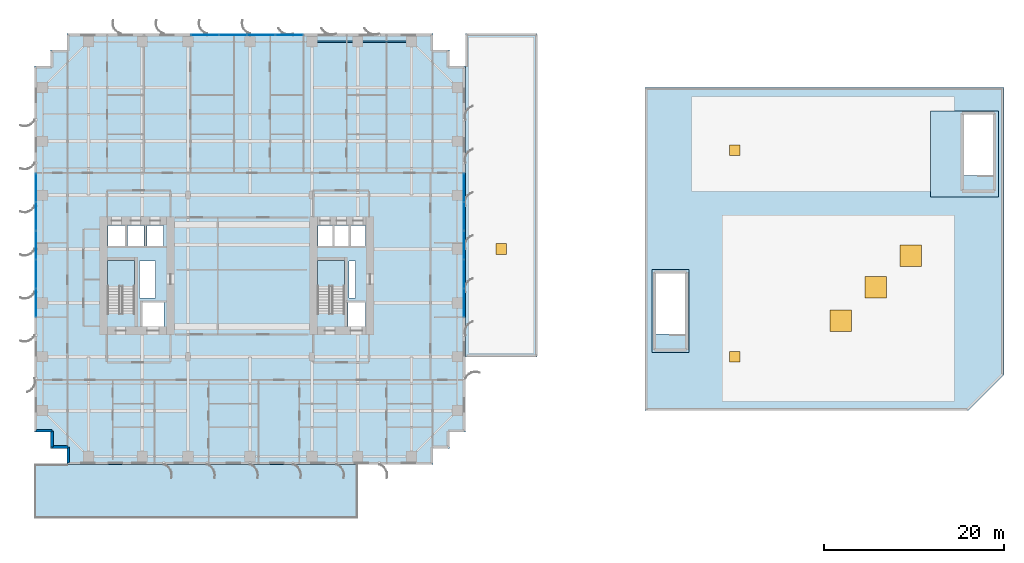
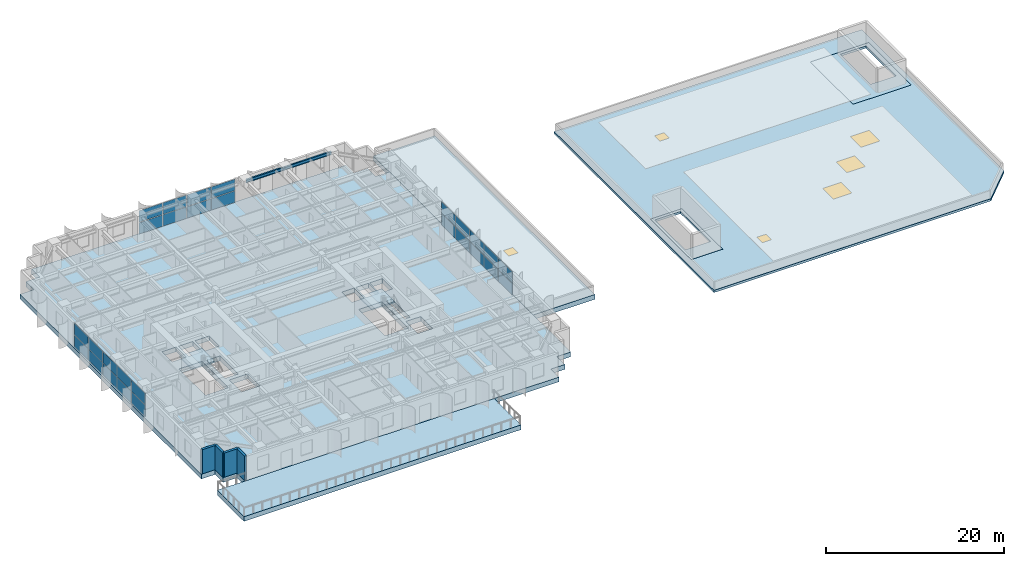
# One storey, part 10 of 21: 28 plates, 8 slabs, 6 windows, 4 walls, 2 beams, 6 openings, 5 elements without a shape of their own.
"""IFC4 building model written with IfcOpenShell, lengths in metres."""

from ifc_helpers import new_model, si_unit, direction, frame, frame_2d, origin, origin_2d, place, context, subcontext, project, spatial, polyline, rectangle, i_section, outline, extrude, source, transform, mapped, material, layer, layer_set, material_profile, profile_set, type_object, element, fill, aggregate, save


model = new_model("IFC4")

# Units and contexts
model_context = context("Model", 3, precision=1e-05, world=origin(), true_north=direction((0.0, 1.0)))
body_context = subcontext(model_context, "Body", "Model", "MODEL_VIEW")
ifc_project = project(units=[si_unit("LENGTHUNIT", "METRE"), si_unit("AREAUNIT", "SQUARE_METRE"), si_unit("VOLUMEUNIT", "CUBIC_METRE"), si_unit("PLANEANGLEUNIT", "RADIAN"), si_unit("MASSUNIT", "GRAM", prefix="KILO")], contexts=[model_context])

# Site, building, storey
site_placement = place(None, origin())
site = spatial("IfcSite", under=ifc_project, at=site_placement, CompositionType="ELEMENT")
building_placement = place(site_placement, origin())
building = spatial("IfcBuilding", under=site, at=building_placement, Name="Khoralis Quay Care Tower", CompositionType="ELEMENT")
storey_placement = place(building_placement, frame((0.0, 0.0, 22.5)))
storey = spatial("IfcBuildingStorey", under=building, at=storey_placement, Name="L05", CompositionType="ELEMENT", Elevation=22.5)

# Beams
ifc_material_1 = material(Name="Steel S355", Category="steel")
ifc_material_profile = material_profile(ifc_material_1, i_section(OverallWidth=0.18994140625, OverallDepth=0.449951171875, WebThickness=0.009521484375, FlangeThickness=0.0146484375, FilletRadius=0.02099609375, at=origin_2d()), Name="Steel S355")
ifc_profile_set = profile_set([ifc_material_profile], Name="Steel S355")
beam_type = type_object("IfcBeamType", Name="BM-IPE450", PredefinedType="SPANDREL", material=ifc_profile_set)
shared_shape_1 = source(origin(), body_context, "Body", "SweptSolid", [
    extrude(i_section(OverallWidth=0.18994140625, OverallDepth=0.449951171875, WebThickness=0.009521484375, FlangeThickness=0.0146484375, FilletRadius=0.02099609375, at=origin_2d()), origin(), (0.0, 0.0, 1.0), 6.0),
])
beam_1_placement = place(storey_placement, frame((36.0, 47.10009765625, 3.094970703125), z_axis=(1.0, 0.0, 0.0), x_axis=(0.0, 1.0, 0.0)))
element("IfcBeam", 1, at=beam_1_placement, inside=storey, type_object=beam_type, Name="BM-TSP-L05-12", PredefinedType="SPANDREL", context=body_context, shape_type="MappedRepresentation", body=[
    mapped(shared_shape_1, transform((0.0, 0.0, 0.0), scale=1.0)),
])
shared_shape_2 = source(origin(), body_context, "Body", "SweptSolid", [
    extrude(i_section(OverallWidth=0.18994140625, OverallDepth=0.449951171875, WebThickness=0.009521484375, FlangeThickness=0.0146484375, FilletRadius=0.02099609375, at=origin_2d()), origin(), (0.0, 0.0, 1.0), 5.10009765625),
])
beam_2_placement = place(storey_placement, frame((30.89990234375, 47.10009765625, 3.094970703125), z_axis=(1.0, 0.0, 0.0), x_axis=(0.0, 1.0, 0.0)))
element("IfcBeam", 2, at=beam_2_placement, inside=storey, type_object=beam_type, Name="BM-TSP-L05-11", PredefinedType="SPANDREL", context=body_context, shape_type="MappedRepresentation", body=[
    mapped(shared_shape_2, transform((0.0, 0.0, 0.0), scale=1.0)),
])

# Slab
ifc_material_2 = material(Name="Concrete C45/55", Category="concrete")
ifc_layer_1 = layer(ifc_material_2, 0.219970703125)
ifc_layer_set_1 = layer_set([ifc_layer_1], Name="Concrete C45/55")
slab_type_1 = type_object("IfcSlabType", Name="SLB-EXT-BALC-220", PredefinedType="FLOOR", material=ifc_layer_set_1)
slab_1_placement = place(storey_placement, frame((0.0, 0.0, -0.64990234375)))
element("IfcSlab", 3, at=slab_1_placement, inside=storey, type_object=slab_type_1, Name="Waterfront Podium South Terrace Slab L05", PredefinedType="FLOOR", context=body_context, shape_type="SweptSolid", body=[
    extrude(outline(polyline([(0.0, -6.0), (36.0, -6.0), (36.0, 0.0), (0.0, 0.0), (0.0, -6.0)])), origin(), (0.0, 0.0, 1.0), 0.64990234375),
])

# Stair, slab
ifc_material_3 = material(Name="Precast concrete C45/55", Category="concrete")
stair_type = type_object("IfcStairType", Name="ST-TWR-DOGLEG-1400", PredefinedType="HALF_TURN_STAIR", material=ifc_material_3)
stair_1_placement = place(storey_placement, origin())
stair_1 = element("IfcStair", 4, at=stair_1_placement, inside=storey, type_object=stair_type, Name="L05 West Core Exit Stair ST-T1", PredefinedType="HALF_TURN_STAIR")
ifc_layer_2 = layer(ifc_material_3, 0.199951171875)
ifc_layer_set_2 = layer_set([ifc_layer_2], Name="Precast concrete C45/55")
slab_type_2 = type_object("IfcSlabType", Name="SLB-LANDING-200", PredefinedType="LANDING", material=ifc_layer_set_2)
slab_2_placement = place(storey_placement, frame((0.0, 0.0, 1.60009765625)))
slab_2 = element("IfcSlab", 5, at=slab_2_placement, type_object=slab_type_2, Name="ST-T1 landing 1", PredefinedType="LANDING", context=body_context, shape_type="SweptSolid", body=[
    extrude(outline(polyline([(11.14990234375, 19.840087890625), (11.14990234375, 22.75), (8.14990234375, 22.75), (8.14990234375, 19.840087890625), (11.14990234375, 19.840087890625)])), origin(), (0.0, 0.0, 1.0), 0.199951171875),
])
aggregate(stair_1, [slab_2])

stair_2_placement = place(storey_placement, origin())
stair_2 = element("IfcStair", 6, at=stair_2_placement, inside=storey, type_object=stair_type, Name="L05 East Core Exit Stair ST-T2", PredefinedType="HALF_TURN_STAIR")
slab_3_placement = place(storey_placement, frame((0.0, 0.0, 1.60009765625)))
slab_3 = element("IfcSlab", 7, at=slab_3_placement, type_object=slab_type_2, Name="ST-T2 landing 1", PredefinedType="LANDING", context=body_context, shape_type="SweptSolid", body=[
    extrude(outline(polyline([(34.52001953125, 19.840087890625), (34.52001953125, 22.75), (31.52001953125, 22.75), (31.52001953125, 19.840087890625), (34.52001953125, 19.840087890625)])), origin(), (0.0, 0.0, 1.0), 0.199951171875),
])
aggregate(stair_2, [slab_3])

# Slab, opening, window
ifc_material_4 = material(Name="Concrete C40/50", Category="concrete")
ifc_layer_3 = layer(ifc_material_4, 0.31005859375)
ifc_layer_set_3 = layer_set([ifc_layer_3], Name="Concrete C40/50")
slab_type_3 = type_object("IfcSlabType", Name="SLB-ROOF-SCH-310", PredefinedType="ROOF", material=ifc_layer_set_3)
slab_4_placement = place(storey_placement, frame((0.0, 0.0, -0.64990234375)))
slab_4 = element("IfcSlab", 8, at=slab_4_placement, inside=storey, type_object=slab_type_3, Name="Podium East Wing Roof Slab L05", PredefinedType="ROOF", context=body_context, shape_type="SweptSolid", body=[
    extrude(outline(polyline([(48.0, 12.0), (56.0, 12.0), (56.0, 48.0), (48.0, 48.0), (48.0, 12.0)])), origin(), (0.0, 0.0, 1.0), 0.64990234375),
])
opening_1_placement = place(slab_4_placement, frame((52.0, 24.0, -0.010009765625)))
opening_1 = element("IfcOpeningElement", 9, at=opening_1_placement, cuts=slab_4, Name="Opening RH1", PredefinedType="OPENING", context=body_context, shape_type="SweptSolid", body=[
    extrude(rectangle(XDim=1.199951171875, YDim=1.199951171875, at=origin_2d()), origin(), (0.0, 0.0, 1.0), 0.669921875),
])
ifc_material_5 = material(Name="Low-E solar-control double glazing", Category="glass")
window_type_1 = type_object("IfcWindowType", Name="WN-HATCH-1200X1200", PartitioningType="SINGLE_PANEL", PredefinedType="SKYLIGHT", material=ifc_material_5)
window_1_placement = place(slab_4_placement, frame((52.0, 24.0, 0.599853515625)))
window_1 = element("IfcWindow", 10, at=window_1_placement, inside=storey, type_object=window_type_1, Name="Podium East Roof Maintenance Hatch", OverallHeight=1.199951171875, OverallWidth=1.199951171875, PartitioningType="SINGLE_PANEL", PredefinedType="SKYLIGHT", context=body_context, shape_type="SweptSolid", body=[
    extrude(rectangle(XDim=1.199951171875, YDim=1.199951171875, at=origin_2d()), origin(), (0.0, 0.0, 1.0), 0.050048828125),
])
fill(opening_1, window_1)

# Slab, openings, windows
slab_5_placement = place(storey_placement, frame((0.0, 0.0, -0.31005859375)))
slab_5 = element("IfcSlab", 11, at=slab_5_placement, inside=storey, type_object=slab_type_3, Name="Companion School Main Roof Slab L05", PredefinedType="ROOF", context=body_context, shape_type="SweptSolid", body=[
    extrude(outline(polyline([(68.0, 6.0), (104.0, 6.0), (108.0, 10.0), (108.0, 42.0), (68.0, 42.0), (68.0, 6.0)]), holes=[polyline([(68.800048828125, 12.5), (72.89990234375, 12.5), (72.89990234375, 21.699951171875), (68.800048828125, 21.699951171875), (68.800048828125, 12.5)]), polyline([(99.800048828125, 29.800048828125), (107.39990234375, 29.800048828125), (107.39990234375, 39.39990234375), (99.800048828125, 39.39990234375), (99.800048828125, 29.800048828125)])]), origin(), (0.0, 0.0, 1.0), 0.31005859375),
])
opening_2_placement = place(slab_5_placement, frame((89.800048828125, 16.0, -0.010009765625)))
opening_2 = element("IfcOpeningElement", 12, at=opening_2_placement, cuts=slab_5, Name="Opening SK1", PredefinedType="OPENING", context=body_context, shape_type="SweptSolid", body=[
    extrude(rectangle(XDim=2.39990234375, YDim=2.39990234375, at=origin_2d()), origin(), (0.0, 0.0, 1.0), 0.330078125),
])
opening_3_placement = place(slab_5_placement, frame((93.699951171875, 19.75, -0.010009765625)))
opening_3 = element("IfcOpeningElement", 13, at=opening_3_placement, cuts=slab_5, Name="Opening SK1", PredefinedType="OPENING", context=body_context, shape_type="SweptSolid", body=[
    extrude(rectangle(XDim=2.39990234375, YDim=2.39990234375, at=origin_2d()), origin(), (0.0, 0.0, 1.0), 0.330078125),
])
opening_4_placement = place(slab_5_placement, frame((97.60009765625, 23.25, -0.010009765625)))
opening_4 = element("IfcOpeningElement", 14, at=opening_4_placement, cuts=slab_5, Name="Opening SK1", PredefinedType="OPENING", context=body_context, shape_type="SweptSolid", body=[
    extrude(rectangle(XDim=2.39990234375, YDim=2.39990234375, at=origin_2d()), origin(), (0.0, 0.0, 1.0), 0.330078125),
])
opening_5_placement = place(slab_5_placement, frame((78.0, 12.0, -0.010009765625)))
opening_5 = element("IfcOpeningElement", 15, at=opening_5_placement, cuts=slab_5, Name="Opening RH1", PredefinedType="OPENING", context=body_context, shape_type="SweptSolid", body=[
    extrude(rectangle(XDim=1.199951171875, YDim=1.199951171875, at=origin_2d()), origin(), (0.0, 0.0, 1.0), 0.330078125),
])
opening_6_placement = place(slab_5_placement, frame((78.0, 35.0, -0.010009765625)))
opening_6 = element("IfcOpeningElement", 16, at=opening_6_placement, cuts=slab_5, Name="Opening RH1", PredefinedType="OPENING", context=body_context, shape_type="SweptSolid", body=[
    extrude(rectangle(XDim=1.199951171875, YDim=1.199951171875, at=origin_2d()), origin(), (0.0, 0.0, 1.0), 0.330078125),
])
window_2_placement = place(slab_5_placement, frame((78.0, 12.0, 0.260009765625)))
window_2 = element("IfcWindow", 17, at=window_2_placement, inside=storey, type_object=window_type_1, Name="School Roof Maintenance Hatch 1", OverallHeight=1.199951171875, OverallWidth=1.199951171875, PartitioningType="SINGLE_PANEL", PredefinedType="SKYLIGHT", context=body_context, shape_type="SweptSolid", body=[
    extrude(rectangle(XDim=1.199951171875, YDim=1.199951171875, at=origin_2d()), origin(), (0.0, 0.0, 1.0), 0.050048828125),
])
fill(opening_5, window_2)
window_3_placement = place(slab_5_placement, frame((78.0, 35.0, 0.260009765625)))
window_3 = element("IfcWindow", 18, at=window_3_placement, inside=storey, type_object=window_type_1, Name="School Roof Maintenance Hatch 2", OverallHeight=1.199951171875, OverallWidth=1.199951171875, PartitioningType="SINGLE_PANEL", PredefinedType="SKYLIGHT", context=body_context, shape_type="SweptSolid", body=[
    extrude(rectangle(XDim=1.199951171875, YDim=1.199951171875, at=origin_2d()), origin(), (0.0, 0.0, 1.0), 0.050048828125),
])
fill(opening_6, window_3)
window_type_2 = type_object("IfcWindowType", Name="WN-SKY-2400X2400", PartitioningType="SINGLE_PANEL", PredefinedType="SKYLIGHT", material=ifc_material_5)
window_4_placement = place(slab_5_placement, frame((89.800048828125, 16.0, 0.260009765625)))
window_4 = element("IfcWindow", 19, at=window_4_placement, inside=storey, type_object=window_type_2, Name="School Sports Hall Skylight 1", OverallHeight=2.39990234375, OverallWidth=2.39990234375, PartitioningType="SINGLE_PANEL", PredefinedType="SKYLIGHT", context=body_context, shape_type="SweptSolid", body=[
    extrude(rectangle(XDim=2.39990234375, YDim=2.39990234375, at=origin_2d()), origin(), (0.0, 0.0, 1.0), 0.050048828125),
])
fill(opening_2, window_4)
window_5_placement = place(slab_5_placement, frame((93.699951171875, 19.75, 0.260009765625)))
window_5 = element("IfcWindow", 20, at=window_5_placement, inside=storey, type_object=window_type_2, Name="School Sports Hall Skylight 2", OverallHeight=2.39990234375, OverallWidth=2.39990234375, PartitioningType="SINGLE_PANEL", PredefinedType="SKYLIGHT", context=body_context, shape_type="SweptSolid", body=[
    extrude(rectangle(XDim=2.39990234375, YDim=2.39990234375, at=origin_2d()), origin(), (0.0, 0.0, 1.0), 0.050048828125),
])
fill(opening_3, window_5)
window_6_placement = place(slab_5_placement, frame((97.60009765625, 23.25, 0.260009765625)))
window_6 = element("IfcWindow", 21, at=window_6_placement, inside=storey, type_object=window_type_2, Name="School Sports Hall Skylight 3", OverallHeight=2.39990234375, OverallWidth=2.39990234375, PartitioningType="SINGLE_PANEL", PredefinedType="SKYLIGHT", context=body_context, shape_type="SweptSolid", body=[
    extrude(rectangle(XDim=2.39990234375, YDim=2.39990234375, at=origin_2d()), origin(), (0.0, 0.0, 1.0), 0.050048828125),
])
fill(opening_4, window_6)

# Slabs
ifc_layer_4 = layer(ifc_material_4, 0.300048828125)
ifc_layer_set_4 = layer_set([ifc_layer_4], Name="Concrete C40/50")
slab_type_4 = type_object("IfcSlabType", Name="SLB-SCH-300", PredefinedType="FLOOR", material=ifc_layer_set_4)
slab_6_placement = place(storey_placement, frame((0.0, 0.0, -0.300048828125)))
element("IfcSlab", 22, at=slab_6_placement, inside=storey, type_object=slab_type_4, Name="School Stair ST-S1 Head-House Landing Floor L05", PredefinedType="FLOOR", context=body_context, shape_type="SweptSolid", body=[
    extrude(outline(polyline([(68.800048828125, 12.5), (72.89990234375, 12.5), (72.89990234375, 21.699951171875), (68.800048828125, 21.699951171875), (68.800048828125, 12.5)]), holes=[polyline([(72.5, 14.510009765625), (72.5, 21.300048828125), (69.199951171875, 21.300048828125), (69.199951171875, 14.510009765625), (72.5, 14.510009765625)])]), origin(), (0.0, 0.0, 1.0), 0.300048828125),
])
slab_7_placement = place(storey_placement, frame((0.0, 0.0, -0.300048828125)))
element("IfcSlab", 23, at=slab_7_placement, inside=storey, type_object=slab_type_4, Name="School Stair ST-S2 Head-House Landing Floor L05", PredefinedType="FLOOR", context=body_context, shape_type="SweptSolid", body=[
    extrude(outline(polyline([(99.800048828125, 29.800048828125), (107.39990234375, 29.800048828125), (107.39990234375, 39.39990234375), (99.800048828125, 39.39990234375), (99.800048828125, 29.800048828125)]), holes=[polyline([(106.800048828125, 32.2099609375), (106.800048828125, 39.0), (103.5, 39.0), (103.5, 32.2099609375), (106.800048828125, 32.2099609375)])]), origin(), (0.0, 0.0, 1.0), 0.300048828125),
])
ifc_material_6 = material(Name="Concrete C65/80", Category="concrete")
ifc_layer_5 = layer(ifc_material_6, 0.64990234375)
ifc_layer_set_5 = layer_set([ifc_layer_5], Name="Concrete C65/80")
slab_type_5 = type_object("IfcSlabType", Name="SLB-TRANS-650", PredefinedType="FLOOR", material=ifc_layer_set_5)
slab_8_placement = place(storey_placement, frame((0.0, 0.0, -0.64990234375)))
element("IfcSlab", 24, at=slab_8_placement, inside=storey, type_object=slab_type_5, Name="Tower Floor Slab L05", PredefinedType="FLOOR", context=body_context, shape_type="SweptSolid", body=[
    extrude(outline(polyline([(3.60009765625, 0.0), (44.39990234375, 0.0), (44.39990234375, 1.800048828125), (46.199951171875, 1.800048828125), (46.199951171875, 3.60009765625), (48.0, 3.60009765625), (48.0, 44.39990234375), (46.199951171875, 44.39990234375), (46.199951171875, 46.199951171875), (44.39990234375, 46.199951171875), (44.39990234375, 48.0), (3.60009765625, 48.0), (3.60009765625, 46.199951171875), (1.800048828125, 46.199951171875), (1.800048828125, 44.39990234375), (0.0, 44.39990234375), (0.0, 3.60009765625), (1.800048828125, 3.60009765625), (1.800048828125, 1.800048828125), (3.60009765625, 1.800048828125), (3.60009765625, 0.0)]), holes=[polyline([(11.14990234375, 16.800048828125), (11.14990234375, 22.75), (8.14990234375, 22.75), (8.14990234375, 16.800048828125), (11.14990234375, 16.800048828125)]), polyline([(34.52001953125, 16.800048828125), (34.52001953125, 22.75), (31.52001953125, 22.75), (31.52001953125, 16.800048828125), (34.52001953125, 16.800048828125)]), polyline([(12.0, 15.35009765625), (14.39990234375, 15.35009765625), (14.39990234375, 18.050048828125), (12.0, 18.050048828125), (12.0, 15.35009765625)]), polyline([(34.919921875, 15.35009765625), (36.8798828125, 15.35009765625), (36.8798828125, 18.050048828125), (34.919921875, 18.050048828125), (34.919921875, 15.35009765625)]), polyline([(8.199951171875, 24.35009765625), (10.050048828125, 24.35009765625), (10.050048828125, 26.64990234375), (8.199951171875, 26.64990234375), (8.199951171875, 24.35009765625)]), polyline([(31.550048828125, 24.35009765625), (33.199951171875, 24.35009765625), (33.199951171875, 26.64990234375), (31.550048828125, 26.64990234375), (31.550048828125, 24.35009765625)]), polyline([(10.35009765625, 24.35009765625), (12.199951171875, 24.35009765625), (12.199951171875, 26.64990234375), (10.35009765625, 26.64990234375), (10.35009765625, 24.35009765625)]), polyline([(33.3798828125, 24.35009765625), (35.030029296875, 24.35009765625), (35.030029296875, 26.64990234375), (33.3798828125, 26.64990234375), (33.3798828125, 24.35009765625)]), polyline([(12.5, 24.35009765625), (14.35009765625, 24.35009765625), (14.35009765625, 26.64990234375), (12.5, 26.64990234375), (12.5, 24.35009765625)]), polyline([(35.199951171875, 24.35009765625), (36.85009765625, 24.35009765625), (36.85009765625, 26.64990234375), (35.199951171875, 26.64990234375), (35.199951171875, 24.35009765625)]), polyline([(11.719970703125, 18.550048828125), (13.449951171875, 18.550048828125), (13.449951171875, 22.64990234375), (11.719970703125, 22.64990234375), (11.719970703125, 18.550048828125)]), polyline([(35.050048828125, 18.550048828125), (35.75, 18.550048828125), (35.75, 22.64990234375), (35.050048828125, 22.64990234375), (35.050048828125, 18.550048828125)])]), origin(), (0.0, 0.0, 1.0), 0.64990234375),
])

# Curtain wall, plates
ifc_material_7 = material(Name="Pale anodised aluminium", Category="aluminium")
ifc_layer_6 = layer(ifc_material_7, 0.179931640625)
ifc_layer_set_6 = layer_set([ifc_layer_6], Name="Pale anodised aluminium")
curtain_wall_type = type_object("IfcCurtainWallType", Name="CW-SYS-Z1", PredefinedType="NOTDEFINED", material=ifc_layer_set_6)
curtain_wall_1_placement = place(storey_placement, origin())
curtain_wall_1 = element("IfcCurtainWall", 25, at=curtain_wall_1_placement, inside=storey, type_object=curtain_wall_type, Name="L05 Unitised Curtain Wall CW-L05-P1-E5", PredefinedType="NOTDEFINED")
ifc_layer_7 = layer(ifc_material_5, 0.031982421875)
ifc_layer_set_7 = layer_set([ifc_layer_7], Name="Low-E solar-control double glazing")
plate_type = type_object("IfcPlateType", Name="PNL-VIS-32", PredefinedType="CURTAIN_PANEL", material=ifc_layer_set_7)
shared_shape_3 = source(origin(), body_context, "Body", "SweptSolid", [
    extrude(rectangle(XDim=3.1220703125, YDim=0.028076171875, at=origin_2d()), origin(), (0.0, 0.0, 1.0), 1.570068359375),
])
plate_1_placement = place(storey_placement, frame((47.85009765625, 18.02099609375, 0.06005859375), z_axis=(0.0, 0.0, 1.0), x_axis=(0.0, 1.0, 0.0)))
plate_1 = element("IfcPlate", 26, at=plate_1_placement, type_object=plate_type, Name="CW1 panel 1.1", PredefinedType="CURTAIN_PANEL", context=body_context, shape_type="MappedRepresentation", body=[
    mapped(shared_shape_3, transform((0.0, 0.0, 0.0), scale=1.0)),
])
plate_2_placement = place(storey_placement, frame((47.85009765625, 18.02099609375, 1.68994140625), z_axis=(0.0, 0.0, 1.0), x_axis=(0.0, 1.0, 0.0)))
plate_2 = element("IfcPlate", 27, at=plate_2_placement, type_object=plate_type, Name="CW1 panel 1.2", PredefinedType="CURTAIN_PANEL", context=body_context, shape_type="MappedRepresentation", body=[
    mapped(shared_shape_3, transform((0.0, 0.0, 0.0), scale=1.0)),
])
plate_3_placement = place(storey_placement, frame((47.85009765625, 30.839111328125, 0.06005859375), z_axis=(0.0, 0.0, 1.0), x_axis=(0.0, 1.0, 0.0)))
plate_3 = element("IfcPlate", 28, at=plate_3_placement, type_object=plate_type, Name="CW1 panel 5.1", PredefinedType="CURTAIN_PANEL", context=body_context, shape_type="MappedRepresentation", body=[
    mapped(shared_shape_3, transform((0.0, 0.0, 0.0), scale=1.0)),
])
plate_4_placement = place(storey_placement, frame((47.85009765625, 30.839111328125, 1.68994140625), z_axis=(0.0, 0.0, 1.0), x_axis=(0.0, 1.0, 0.0)))
plate_4 = element("IfcPlate", 29, at=plate_4_placement, type_object=plate_type, Name="CW1 panel 5.2", PredefinedType="CURTAIN_PANEL", context=body_context, shape_type="MappedRepresentation", body=[
    mapped(shared_shape_3, transform((0.0, 0.0, 0.0), scale=1.0)),
])

curtain_wall_2_placement = place(storey_placement, origin())
curtain_wall_2 = element("IfcCurtainWall", 30, at=curtain_wall_2_placement, inside=storey, type_object=curtain_wall_type, Name="L05 Unitised Curtain Wall CW-L05-P1-E15", PredefinedType="NOTDEFINED")
plate_5_placement = place(storey_placement, frame((0.14990234375, 30.839111328125, 0.06005859375), z_axis=(0.0, 0.0, 1.0), x_axis=(0.0, -1.0, 0.0)))
plate_5 = element("IfcPlate", 31, at=plate_5_placement, type_object=plate_type, Name="CW1 panel 1.1", PredefinedType="CURTAIN_PANEL", context=body_context, shape_type="MappedRepresentation", body=[
    mapped(shared_shape_3, transform((0.0, 0.0, 0.0), scale=1.0)),
])
plate_6_placement = place(storey_placement, frame((0.14990234375, 30.839111328125, 1.68994140625), z_axis=(0.0, 0.0, 1.0), x_axis=(0.0, -1.0, 0.0)))
plate_6 = element("IfcPlate", 32, at=plate_6_placement, type_object=plate_type, Name="CW1 panel 1.2", PredefinedType="CURTAIN_PANEL", context=body_context, shape_type="MappedRepresentation", body=[
    mapped(shared_shape_3, transform((0.0, 0.0, 0.0), scale=1.0)),
])
plate_7_placement = place(storey_placement, frame((0.14990234375, 18.02099609375, 0.06005859375), z_axis=(0.0, 0.0, 1.0), x_axis=(0.0, -1.0, 0.0)))
plate_7 = element("IfcPlate", 33, at=plate_7_placement, type_object=plate_type, Name="CW1 panel 5.1", PredefinedType="CURTAIN_PANEL", context=body_context, shape_type="MappedRepresentation", body=[
    mapped(shared_shape_3, transform((0.0, 0.0, 0.0), scale=1.0)),
])
plate_8_placement = place(storey_placement, frame((0.14990234375, 18.02099609375, 1.68994140625), z_axis=(0.0, 0.0, 1.0), x_axis=(0.0, -1.0, 0.0)))
plate_8 = element("IfcPlate", 34, at=plate_8_placement, type_object=plate_type, Name="CW1 panel 5.2", PredefinedType="CURTAIN_PANEL", context=body_context, shape_type="MappedRepresentation", body=[
    mapped(shared_shape_3, transform((0.0, 0.0, 0.0), scale=1.0)),
])

# Plate
shared_shape_4 = source(origin(), body_context, "Body", "SweptSolid", [
    extrude(rectangle(XDim=3.152099609375, YDim=0.028076171875, at=origin_2d()), origin(), (0.0, 0.0, 1.0), 1.570068359375),
])
plate_9_placement = place(storey_placement, frame((47.85009765625, 21.218017578125, 0.06005859375), z_axis=(0.0, 0.0, 1.0), x_axis=(0.0, 1.0, 0.0)))
plate_9 = element("IfcPlate", 35, at=plate_9_placement, type_object=plate_type, Name="CW1 panel 2.1", PredefinedType="CURTAIN_PANEL", context=body_context, shape_type="MappedRepresentation", body=[
    mapped(shared_shape_4, transform((0.0, 0.0, 0.0), scale=1.0)),
])

plate_10_placement = place(storey_placement, frame((47.85009765625, 21.218017578125, 1.68994140625), z_axis=(0.0, 0.0, 1.0), x_axis=(0.0, 1.0, 0.0)))
plate_10 = element("IfcPlate", 36, at=plate_10_placement, type_object=plate_type, Name="CW1 panel 2.2", PredefinedType="CURTAIN_PANEL", context=body_context, shape_type="MappedRepresentation", body=[
    mapped(shared_shape_4, transform((0.0, 0.0, 0.0), scale=1.0)),
])

plate_11_placement = place(storey_placement, frame((47.85009765625, 24.429931640625, 0.06005859375), z_axis=(0.0, 0.0, 1.0), x_axis=(0.0, 1.0, 0.0)))
plate_11 = element("IfcPlate", 37, at=plate_11_placement, type_object=plate_type, Name="CW1 panel 3.1", PredefinedType="CURTAIN_PANEL", context=body_context, shape_type="MappedRepresentation", body=[
    mapped(shared_shape_4, transform((0.0, 0.0, 0.0), scale=1.0)),
])

plate_12_placement = place(storey_placement, frame((47.85009765625, 24.429931640625, 1.68994140625), z_axis=(0.0, 0.0, 1.0), x_axis=(0.0, 1.0, 0.0)))
plate_12 = element("IfcPlate", 38, at=plate_12_placement, type_object=plate_type, Name="CW1 panel 3.2", PredefinedType="CURTAIN_PANEL", context=body_context, shape_type="MappedRepresentation", body=[
    mapped(shared_shape_4, transform((0.0, 0.0, 0.0), scale=1.0)),
])

plate_13_placement = place(storey_placement, frame((47.85009765625, 27.64208984375, 0.06005859375), z_axis=(0.0, 0.0, 1.0), x_axis=(0.0, 1.0, 0.0)))
plate_13 = element("IfcPlate", 39, at=plate_13_placement, type_object=plate_type, Name="CW1 panel 4.1", PredefinedType="CURTAIN_PANEL", context=body_context, shape_type="MappedRepresentation", body=[
    mapped(shared_shape_4, transform((0.0, 0.0, 0.0), scale=1.0)),
])

plate_14_placement = place(storey_placement, frame((47.85009765625, 27.64208984375, 1.68994140625), z_axis=(0.0, 0.0, 1.0), x_axis=(0.0, 1.0, 0.0)))
plate_14 = element("IfcPlate", 40, at=plate_14_placement, type_object=plate_type, Name="CW1 panel 4.2", PredefinedType="CURTAIN_PANEL", context=body_context, shape_type="MappedRepresentation", body=[
    mapped(shared_shape_4, transform((0.0, 0.0, 0.0), scale=1.0)),
])

aggregate(curtain_wall_1, [plate_1, plate_2, plate_9, plate_10, plate_11, plate_12, plate_13, plate_14, plate_3, plate_4])

plate_15_placement = place(storey_placement, frame((0.14990234375, 27.64208984375, 0.06005859375), z_axis=(0.0, 0.0, 1.0), x_axis=(0.0, -1.0, 0.0)))
plate_15 = element("IfcPlate", 41, at=plate_15_placement, type_object=plate_type, Name="CW1 panel 2.1", PredefinedType="CURTAIN_PANEL", context=body_context, shape_type="MappedRepresentation", body=[
    mapped(shared_shape_4, transform((0.0, 0.0, 0.0), scale=1.0)),
])

plate_16_placement = place(storey_placement, frame((0.14990234375, 27.64208984375, 1.68994140625), z_axis=(0.0, 0.0, 1.0), x_axis=(0.0, -1.0, 0.0)))
plate_16 = element("IfcPlate", 42, at=plate_16_placement, type_object=plate_type, Name="CW1 panel 2.2", PredefinedType="CURTAIN_PANEL", context=body_context, shape_type="MappedRepresentation", body=[
    mapped(shared_shape_4, transform((0.0, 0.0, 0.0), scale=1.0)),
])

plate_17_placement = place(storey_placement, frame((0.14990234375, 24.429931640625, 0.06005859375), z_axis=(0.0, 0.0, 1.0), x_axis=(0.0, -1.0, 0.0)))
plate_17 = element("IfcPlate", 43, at=plate_17_placement, type_object=plate_type, Name="CW1 panel 3.1", PredefinedType="CURTAIN_PANEL", context=body_context, shape_type="MappedRepresentation", body=[
    mapped(shared_shape_4, transform((0.0, 0.0, 0.0), scale=1.0)),
])

plate_18_placement = place(storey_placement, frame((0.14990234375, 24.429931640625, 1.68994140625), z_axis=(0.0, 0.0, 1.0), x_axis=(0.0, -1.0, 0.0)))
plate_18 = element("IfcPlate", 44, at=plate_18_placement, type_object=plate_type, Name="CW1 panel 3.2", PredefinedType="CURTAIN_PANEL", context=body_context, shape_type="MappedRepresentation", body=[
    mapped(shared_shape_4, transform((0.0, 0.0, 0.0), scale=1.0)),
])

plate_19_placement = place(storey_placement, frame((0.14990234375, 21.218017578125, 0.06005859375), z_axis=(0.0, 0.0, 1.0), x_axis=(0.0, -1.0, 0.0)))
plate_19 = element("IfcPlate", 45, at=plate_19_placement, type_object=plate_type, Name="CW1 panel 4.1", PredefinedType="CURTAIN_PANEL", context=body_context, shape_type="MappedRepresentation", body=[
    mapped(shared_shape_4, transform((0.0, 0.0, 0.0), scale=1.0)),
])

plate_20_placement = place(storey_placement, frame((0.14990234375, 21.218017578125, 1.68994140625), z_axis=(0.0, 0.0, 1.0), x_axis=(0.0, -1.0, 0.0)))
plate_20 = element("IfcPlate", 46, at=plate_20_placement, type_object=plate_type, Name="CW1 panel 4.2", PredefinedType="CURTAIN_PANEL", context=body_context, shape_type="MappedRepresentation", body=[
    mapped(shared_shape_4, transform((0.0, 0.0, 0.0), scale=1.0)),
])

aggregate(curtain_wall_2, [plate_5, plate_6, plate_15, plate_16, plate_17, plate_18, plate_19, plate_20, plate_7, plate_8])

# Curtain wall, plates
curtain_wall_3_placement = place(storey_placement, origin())
curtain_wall_3 = element("IfcCurtainWall", 47, at=curtain_wall_3_placement, inside=storey, type_object=curtain_wall_type, Name="L05 Unitised Curtain Wall CW-L05-P1-E10", PredefinedType="NOTDEFINED")
shared_shape_5 = source(origin(), body_context, "Body", "SweptSolid", [
    extrude(rectangle(XDim=3.048583984375, YDim=0.028076171875, at=origin_2d()), origin(), (0.0, 0.0, 1.0), 1.570068359375),
])
plate_21_placement = place(storey_placement, frame((28.36572265625, 47.85009765625, 0.06005859375), z_axis=(0.0, 0.0, 1.0), x_axis=(-1.0, 0.0, 0.0)))
plate_21 = element("IfcPlate", 48, at=plate_21_placement, type_object=plate_type, Name="CW1 panel 1.1", PredefinedType="CURTAIN_PANEL", context=body_context, shape_type="MappedRepresentation", body=[
    mapped(shared_shape_5, transform((0.0, 0.0, 0.0), scale=1.0)),
])
plate_22_placement = place(storey_placement, frame((28.36572265625, 47.85009765625, 1.68994140625), z_axis=(0.0, 0.0, 1.0), x_axis=(-1.0, 0.0, 0.0)))
plate_22 = element("IfcPlate", 49, at=plate_22_placement, type_object=plate_type, Name="CW1 panel 1.2", PredefinedType="CURTAIN_PANEL", context=body_context, shape_type="MappedRepresentation", body=[
    mapped(shared_shape_5, transform((0.0, 0.0, 0.0), scale=1.0)),
])
plate_23_placement = place(storey_placement, frame((18.980224609375, 47.85009765625, 0.06005859375), z_axis=(0.0, 0.0, 1.0), x_axis=(-1.0, 0.0, 0.0)))
plate_23 = element("IfcPlate", 50, at=plate_23_placement, type_object=plate_type, Name="CW1 panel 4.1", PredefinedType="CURTAIN_PANEL", context=body_context, shape_type="MappedRepresentation", body=[
    mapped(shared_shape_5, transform((0.0, 0.0, 0.0), scale=1.0)),
])
plate_24_placement = place(storey_placement, frame((18.980224609375, 47.85009765625, 1.68994140625), z_axis=(0.0, 0.0, 1.0), x_axis=(-1.0, 0.0, 0.0)))
plate_24 = element("IfcPlate", 51, at=plate_24_placement, type_object=plate_type, Name="CW1 panel 4.2", PredefinedType="CURTAIN_PANEL", context=body_context, shape_type="MappedRepresentation", body=[
    mapped(shared_shape_5, transform((0.0, 0.0, 0.0), scale=1.0)),
])
shared_shape_6 = source(origin(), body_context, "Body", "SweptSolid", [
    extrude(rectangle(XDim=3.07861328125, YDim=0.028076171875, at=origin_2d()), origin(), (0.0, 0.0, 1.0), 1.570068359375),
])
plate_25_placement = place(storey_placement, frame((25.2421875, 47.85009765625, 0.06005859375), z_axis=(0.0, 0.0, 1.0), x_axis=(-1.0, 0.0, 0.0)))
plate_25 = element("IfcPlate", 52, at=plate_25_placement, type_object=plate_type, Name="CW1 panel 2.1", PredefinedType="CURTAIN_PANEL", context=body_context, shape_type="MappedRepresentation", body=[
    mapped(shared_shape_6, transform((0.0, 0.0, 0.0), scale=1.0)),
])
plate_26_placement = place(storey_placement, frame((25.2421875, 47.85009765625, 1.68994140625), z_axis=(0.0, 0.0, 1.0), x_axis=(-1.0, 0.0, 0.0)))
plate_26 = element("IfcPlate", 53, at=plate_26_placement, type_object=plate_type, Name="CW1 panel 2.2", PredefinedType="CURTAIN_PANEL", context=body_context, shape_type="MappedRepresentation", body=[
    mapped(shared_shape_6, transform((0.0, 0.0, 0.0), scale=1.0)),
])
plate_27_placement = place(storey_placement, frame((22.103759765625, 47.85009765625, 0.06005859375), z_axis=(0.0, 0.0, 1.0), x_axis=(-1.0, 0.0, 0.0)))
plate_27 = element("IfcPlate", 54, at=plate_27_placement, type_object=plate_type, Name="CW1 panel 3.1", PredefinedType="CURTAIN_PANEL", context=body_context, shape_type="MappedRepresentation", body=[
    mapped(shared_shape_6, transform((0.0, 0.0, 0.0), scale=1.0)),
])
plate_28_placement = place(storey_placement, frame((22.103759765625, 47.85009765625, 1.68994140625), z_axis=(0.0, 0.0, 1.0), x_axis=(-1.0, 0.0, 0.0)))
plate_28 = element("IfcPlate", 55, at=plate_28_placement, type_object=plate_type, Name="CW1 panel 3.2", PredefinedType="CURTAIN_PANEL", context=body_context, shape_type="MappedRepresentation", body=[
    mapped(shared_shape_6, transform((0.0, 0.0, 0.0), scale=1.0)),
])
aggregate(curtain_wall_3, [plate_21, plate_22, plate_25, plate_26, plate_27, plate_28, plate_23, plate_24])

# Walls
ifc_layer_8 = layer(ifc_material_3, 0.300048828125)
ifc_layer_set_8 = layer_set([ifc_layer_8], Name="Precast concrete C45/55")
wall_type = type_object("IfcWallType", Name="WL-EXT-REF-300", PredefinedType="SOLIDWALL", material=ifc_layer_set_8)
for number, where, z_axis, x_axis, name in (
    (56, (0.14990234375, 3.75, 0.0), (0.0, 0.0, 1.0), (1.0, 0.0, 0.0), "L05 External Facade Wall WL-EXT-L05-P1-C16"),
    (57, (1.949951171875, 3.75, 0.0), (0.0, 0.0, 1.0), (0.0, -1.0, 0.0), "L05 External Facade Wall WL-EXT-L05-P1-C17"),
    (58, (1.949951171875, 1.949951171875, 0.0), (0.0, 0.0, 1.0), (1.0, 0.0, 0.0), "L05 External Facade Wall WL-EXT-L05-P1-C18"),
    (59, (3.75, 1.949951171875, 0.0), (0.0, 0.0, 1.0), (0.0, -1.0, 0.0), "L05 External Facade Wall WL-EXT-L05-P1-C19"),
):
    element("IfcWall", number, at=place(storey_placement, frame(where, z_axis=z_axis, x_axis=x_axis)), inside=storey, type_object=wall_type, Name=name, PredefinedType="SOLIDWALL", context=body_context, shape_type="SweptSolid", body=[
        extrude(rectangle(XDim=1.800048828125, YDim=0.300048828125, at=frame_2d((0.89990234375, 0.0))), origin(), (0.0, 0.0, 1.0), 3.320068359375),
    ])

save(model, "model.ifc")
